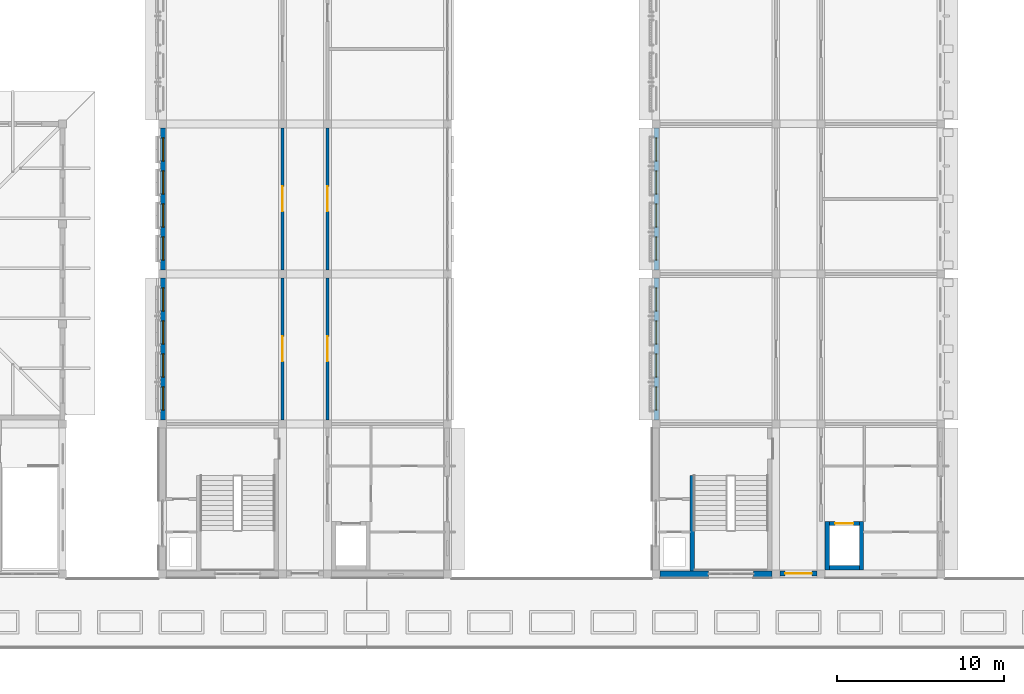
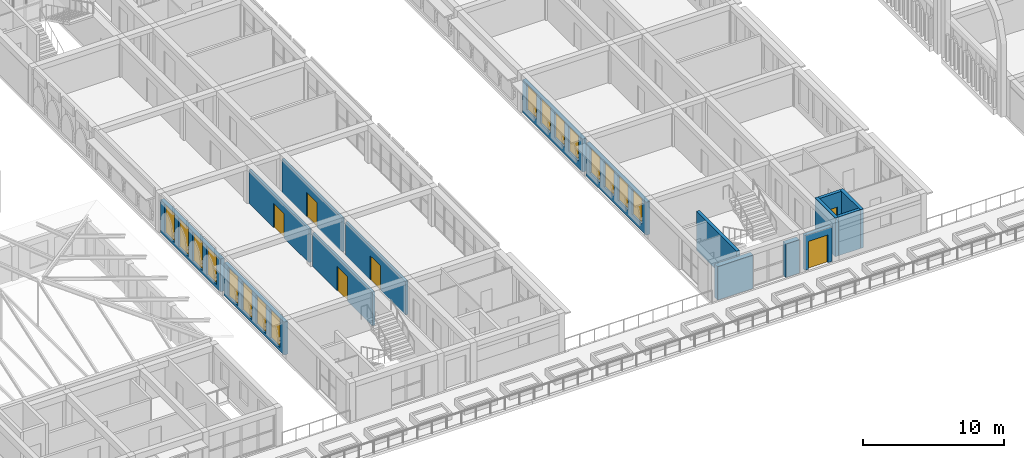
# One storey, part 46 of 82: 16 walls, 16 windows, 6 doors, 22 openings.
"""IFC4 building model written with IfcOpenShell, lengths in metres."""

from ifc_helpers import new_model, si_unit, direction, frame, frame_2d, origin, place, context, subcontext, project, spatial, rectangle, extrude, material, layer, layer_set, type_object, element, fill, save


model = new_model("IFC4")

# Units and contexts
model_context = context("Model", 3, precision=1e-05, world=origin(), true_north=direction((0.0, 1.0)))
body_context = subcontext(model_context, "Body", "Model", "MODEL_VIEW")
ifc_project = project(units=[si_unit("LENGTHUNIT", "METRE"), si_unit("AREAUNIT", "SQUARE_METRE"), si_unit("VOLUMEUNIT", "CUBIC_METRE"), si_unit("PLANEANGLEUNIT", "RADIAN"), si_unit("MASSUNIT", "GRAM", prefix="KILO")], contexts=[model_context])

# Site, building, storey
site_placement = place(None, origin())
site = spatial("IfcSite", under=ifc_project, at=site_placement, CompositionType="ELEMENT")
building_placement = place(site_placement, origin())
building = spatial("IfcBuilding", under=site, at=building_placement, Name="Elbe Cascade School", CompositionType="ELEMENT")
storey_placement = place(building_placement, frame((0.0, 0.0, 4.5)))
storey = spatial("IfcBuildingStorey", under=building, at=storey_placement, Name="L01", CompositionType="ELEMENT", Elevation=4.5)

# Wall, opening, door
ifc_material_1 = material(Name="Masonry - lime-sand block, plastered", Category="masonry")
ifc_layer_1 = layer(ifc_material_1, 0.199951171875)
ifc_layer_set_1 = layer_set([ifc_layer_1], Name="Masonry - lime-sand block, plastered")
wall_type_1 = type_object("IfcWallType", Name="Bar corridor wall lime-sand block 200 EI 30", PredefinedType="PARTITIONING", material=ifc_layer_set_1)
wall_1_placement = place(storey_placement, frame((76.199951171875, 15.25, 0.0), z_axis=(0.0, 0.0, 1.0), x_axis=(0.0, 1.0, 0.0)))
wall_1 = element("IfcWall", 1, at=wall_1_placement, inside=storey, type_object=wall_type_1, Name="Bar corridor wall lime-sand block 200 EI 30", PredefinedType="PARTITIONING", context=body_context, shape_type="SweptSolid", body=[
    extrude(rectangle(XDim=8.5, YDim=0.199951171875, at=frame_2d((4.25, 0.0))), origin(), (0.0, 0.0, 1.0), 2.89990234375),
])
opening_1_placement = place(wall_1_placement, frame((3.5, 0.0, 0.0)))
opening_1 = element("IfcOpeningElement", 2, at=opening_1_placement, cuts=wall_1, Name="Opening D1.011", PredefinedType="OPENING", context=body_context, shape_type="SweptSolid", body=[
    extrude(rectangle(XDim=1.5, YDim=2.10009765625, at=frame_2d((0.75, 1.050048828125))), frame((0.0, 0.10986328125, 0.0), z_axis=(0.0, -1.0, 0.0), x_axis=(1.0, 0.0, 0.0)), (0.0, 0.0, 1.0), 0.219970703125),
])
ifc_material_2 = material(Name="Timber door leaves, fire-resisting, steel frame", Category="steel")
door_type_1 = type_object("IfcDoorType", Name="Bar door FD30 1500x2100", OperationType="NOTDEFINED", PredefinedType="DOOR", material=ifc_material_2)
door_1_placement = place(opening_1_placement, origin())
door_1 = element("IfcDoor", 3, at=door_1_placement, inside=storey, type_object=door_type_1, Name="Door A1.20a", OperationType="DOUBLE_DOOR_SINGLE_SWING", OverallHeight=2.10009765625, OverallWidth=1.5, PredefinedType="DOOR", context=body_context, shape_type="SweptSolid", body=[
    extrude(rectangle(XDim=1.5, YDim=2.10009765625, at=frame_2d((0.75, 1.050048828125))), frame((0.0, 0.02490234375, 0.0), z_axis=(0.0, -1.0, 0.0), x_axis=(1.0, 0.0, 0.0)), (0.0, 0.0, 1.0), 0.050048828125),
])
fill(opening_1, door_1)

wall_2_placement = place(storey_placement, frame((76.199951171875, 24.25, 0.0), z_axis=(0.0, 0.0, 1.0), x_axis=(0.0, 1.0, 0.0)))
wall_2 = element("IfcWall", 4, at=wall_2_placement, inside=storey, type_object=wall_type_1, Name="Bar corridor wall lime-sand block 200 EI 30", PredefinedType="PARTITIONING", context=body_context, shape_type="SweptSolid", body=[
    extrude(rectangle(XDim=8.5, YDim=0.199951171875, at=frame_2d((4.25, 0.0))), origin(), (0.0, 0.0, 1.0), 2.89990234375),
])
opening_2_placement = place(wall_2_placement, frame((3.5, 0.0, 0.0)))
opening_2 = element("IfcOpeningElement", 5, at=opening_2_placement, cuts=wall_2, Name="Opening D1.013", PredefinedType="OPENING", context=body_context, shape_type="SweptSolid", body=[
    extrude(rectangle(XDim=1.5, YDim=2.10009765625, at=frame_2d((0.75, 1.050048828125))), frame((0.0, 0.10986328125, 0.0), z_axis=(0.0, -1.0, 0.0), x_axis=(1.0, 0.0, 0.0)), (0.0, 0.0, 1.0), 0.219970703125),
])
door_2_placement = place(opening_2_placement, origin())
door_2 = element("IfcDoor", 6, at=door_2_placement, inside=storey, type_object=door_type_1, Name="Door A1.20b", OperationType="DOUBLE_DOOR_SINGLE_SWING", OverallHeight=2.10009765625, OverallWidth=1.5, PredefinedType="DOOR", context=body_context, shape_type="SweptSolid", body=[
    extrude(rectangle(XDim=1.5, YDim=2.10009765625, at=frame_2d((0.75, 1.050048828125))), frame((0.0, 0.02490234375, 0.0), z_axis=(0.0, -1.0, 0.0), x_axis=(1.0, 0.0, 0.0)), (0.0, 0.0, 1.0), 0.050048828125),
])
fill(opening_2, door_2)

wall_3_placement = place(storey_placement, frame((78.89990234375, 23.75, 0.0), z_axis=(0.0, 0.0, 1.0), x_axis=(0.0, -1.0, 0.0)))
wall_3 = element("IfcWall", 7, at=wall_3_placement, inside=storey, type_object=wall_type_1, Name="Bar corridor wall lime-sand block 200 EI 30", PredefinedType="PARTITIONING", context=body_context, shape_type="SweptSolid", body=[
    extrude(rectangle(XDim=8.5, YDim=0.199951171875, at=frame_2d((4.25, 0.0))), origin(), (0.0, 0.0, 1.0), 2.89990234375),
])
opening_3_placement = place(wall_3_placement, frame((3.5, 0.0, 0.0)))
opening_3 = element("IfcOpeningElement", 8, at=opening_3_placement, cuts=wall_3, Name="Opening D1.012", PredefinedType="OPENING", context=body_context, shape_type="SweptSolid", body=[
    extrude(rectangle(XDim=1.5, YDim=2.10009765625, at=frame_2d((0.75, 1.050048828125))), frame((0.0, 0.10986328125, 0.0), z_axis=(0.0, -1.0, 0.0), x_axis=(1.0, 0.0, 0.0)), (0.0, 0.0, 1.0), 0.219970703125),
])
door_3_placement = place(opening_3_placement, origin())
door_3 = element("IfcDoor", 9, at=door_3_placement, inside=storey, type_object=door_type_1, Name="Door A1.21a", OperationType="DOUBLE_DOOR_SINGLE_SWING", OverallHeight=2.10009765625, OverallWidth=1.5, PredefinedType="DOOR", context=body_context, shape_type="SweptSolid", body=[
    extrude(rectangle(XDim=1.5, YDim=2.10009765625, at=frame_2d((0.75, 1.050048828125))), frame((0.0, 0.02490234375, 0.0), z_axis=(0.0, -1.0, 0.0), x_axis=(1.0, 0.0, 0.0)), (0.0, 0.0, 1.0), 0.050048828125),
])
fill(opening_3, door_3)

wall_4_placement = place(storey_placement, frame((78.89990234375, 32.75, 0.0), z_axis=(0.0, 0.0, 1.0), x_axis=(0.0, -1.0, 0.0)))
wall_4 = element("IfcWall", 10, at=wall_4_placement, inside=storey, type_object=wall_type_1, Name="Bar corridor wall lime-sand block 200 EI 30", PredefinedType="PARTITIONING", context=body_context, shape_type="SweptSolid", body=[
    extrude(rectangle(XDim=8.5, YDim=0.199951171875, at=frame_2d((4.25, 0.0))), origin(), (0.0, 0.0, 1.0), 2.89990234375),
])
opening_4_placement = place(wall_4_placement, frame((3.5, 0.0, 0.0)))
opening_4 = element("IfcOpeningElement", 11, at=opening_4_placement, cuts=wall_4, Name="Opening D1.014", PredefinedType="OPENING", context=body_context, shape_type="SweptSolid", body=[
    extrude(rectangle(XDim=1.5, YDim=2.10009765625, at=frame_2d((0.75, 1.050048828125))), frame((0.0, 0.10986328125, 0.0), z_axis=(0.0, -1.0, 0.0), x_axis=(1.0, 0.0, 0.0)), (0.0, 0.0, 1.0), 0.219970703125),
])
door_4_placement = place(opening_4_placement, origin())
door_4 = element("IfcDoor", 12, at=door_4_placement, inside=storey, type_object=door_type_1, Name="Door A1.21b", OperationType="DOUBLE_DOOR_SINGLE_SWING", OverallHeight=2.10009765625, OverallWidth=1.5, PredefinedType="DOOR", context=body_context, shape_type="SweptSolid", body=[
    extrude(rectangle(XDim=1.5, YDim=2.10009765625, at=frame_2d((0.75, 1.050048828125))), frame((0.0, 0.02490234375, 0.0), z_axis=(0.0, -1.0, 0.0), x_axis=(1.0, 0.0, 0.0)), (0.0, 0.0, 1.0), 0.050048828125),
])
fill(opening_4, door_4)

# Wall
ifc_material_3 = material(Name="Concrete C30/37", Category="concrete")
ifc_layer_2 = layer(ifc_material_3, 0.25)
ifc_layer_set_2 = layer_set([ifc_layer_2], Name="Concrete C30/37")
wall_type_2 = type_object("IfcWallType", Name="Bar stair core wall RC 250", PredefinedType="SOLIDWALL", material=ifc_layer_set_2)
wall_5_placement = place(storey_placement, frame((100.77490234375, 6.179931640625, 0.0), z_axis=(0.0, 0.0, 1.0), x_axis=(0.0, 1.0, 0.0)))
element("IfcWall", 13, at=wall_5_placement, inside=storey, type_object=wall_type_2, Name="Bar stair core wall RC 250", PredefinedType="SOLIDWALL", context=body_context, shape_type="SweptSolid", body=[
    extrude(rectangle(XDim=5.719970703125, YDim=0.25, at=frame_2d((2.85986328125, 0.0))), origin(), (0.0, 0.0, 1.0), 3.35009765625),
])

# Wall, openings, windows
ifc_material_4 = material(Name="Brick masonry - red clinker, cavity wall with render backing", Category="masonry")
ifc_layer_3 = layer(ifc_material_4, 0.300048828125)
ifc_layer_set_3 = layer_set([ifc_layer_3], Name="Brick masonry - red clinker, cavity wall with render backing")
wall_type_3 = type_object("IfcWallType", Name="Bars envelope External wall - clinker brick cavity, 300 upper floors", PredefinedType="STANDARD", material=ifc_layer_set_3)
wall_6_placement = place(storey_placement, frame((69.030029296875, 15.25, 0.0), z_axis=(0.0, 0.0, 1.0), x_axis=(0.0, 1.0, 0.0)))
wall_6 = element("IfcWall", 14, at=wall_6_placement, inside=storey, type_object=wall_type_3, Name="External wall W30 A.L01.w2", PredefinedType="STANDARD", context=body_context, shape_type="SweptSolid", body=[
    extrude(rectangle(XDim=8.5, YDim=0.300048828125, at=frame_2d((4.25, 0.0))), origin(), (0.0, 0.0, 1.0), 2.85009765625),
])
opening_5_placement = place(wall_6_placement, frame((0.580078125, 0.0, 0.300048828125)))
opening_5 = element("IfcOpeningElement", 15, at=opening_5_placement, cuts=wall_6, Name="Opening W1.004", PredefinedType="OPENING", context=body_context, shape_type="SweptSolid", body=[
    extrude(rectangle(XDim=1.39990234375, YDim=2.5, at=frame_2d((0.699951171875, 1.25))), frame((0.0, 0.159912109375, 0.0), z_axis=(0.0, -1.0, 0.0), x_axis=(1.0, 0.0, 0.0)), (0.0, 0.0, 1.0), 0.320068359375),
])
opening_6_placement = place(wall_6_placement, frame((2.56005859375, 0.0, 0.300048828125)))
opening_6 = element("IfcOpeningElement", 16, at=opening_6_placement, cuts=wall_6, Name="Opening W1.005", PredefinedType="OPENING", context=body_context, shape_type="SweptSolid", body=[
    extrude(rectangle(XDim=1.39990234375, YDim=2.5, at=frame_2d((0.699951171875, 1.25))), frame((0.0, 0.159912109375, 0.0), z_axis=(0.0, -1.0, 0.0), x_axis=(1.0, 0.0, 0.0)), (0.0, 0.0, 1.0), 0.320068359375),
])
opening_7_placement = place(wall_6_placement, frame((4.5400390625, 0.0, 0.300048828125)))
opening_7 = element("IfcOpeningElement", 17, at=opening_7_placement, cuts=wall_6, Name="Opening W1.006", PredefinedType="OPENING", context=body_context, shape_type="SweptSolid", body=[
    extrude(rectangle(XDim=1.39990234375, YDim=2.5, at=frame_2d((0.699951171875, 1.25))), frame((0.0, 0.159912109375, 0.0), z_axis=(0.0, -1.0, 0.0), x_axis=(1.0, 0.0, 0.0)), (0.0, 0.0, 1.0), 0.320068359375),
])
opening_8_placement = place(wall_6_placement, frame((6.52001953125, 0.0, 0.300048828125)))
opening_8 = element("IfcOpeningElement", 18, at=opening_8_placement, cuts=wall_6, Name="Opening W1.007", PredefinedType="OPENING", context=body_context, shape_type="SweptSolid", body=[
    extrude(rectangle(XDim=1.39990234375, YDim=2.5, at=frame_2d((0.699951171875, 1.25))), frame((0.0, 0.159912109375, 0.0), z_axis=(0.0, -1.0, 0.0), x_axis=(1.0, 0.0, 0.0)), (0.0, 0.0, 1.0), 0.320068359375),
])
ifc_material_5 = material(Name="Aluminium frame with double glazing, bronze anodised", Category="aluminium")
window_type_1 = type_object("IfcWindowType", Name="Bars envelope Window 1400 x 2500, library reading, tall, aluminium double glazed", PartitioningType="DOUBLE_PANEL_VERTICAL", PredefinedType="WINDOW", material=ifc_material_5)
window_1_placement = place(opening_5_placement, origin())
window_1 = element("IfcWindow", 19, at=window_1_placement, inside=storey, type_object=window_type_1, Name="Window WN5 A.L01.w2.1", OverallHeight=2.5, OverallWidth=1.39990234375, PartitioningType="DOUBLE_PANEL_VERTICAL", PredefinedType="WINDOW", context=body_context, shape_type="SweptSolid", body=[
    extrude(rectangle(XDim=1.39990234375, YDim=2.5, at=frame_2d((0.699951171875, 1.25))), frame((0.0, 0.030029296875, 0.0), z_axis=(0.0, -1.0, 0.0), x_axis=(1.0, 0.0, 0.0)), (0.0, 0.0, 1.0), 0.06005859375),
])
fill(opening_5, window_1)
window_2_placement = place(opening_6_placement, origin())
window_2 = element("IfcWindow", 20, at=window_2_placement, inside=storey, type_object=window_type_1, Name="Window WN5 A.L01.w2.2", OverallHeight=2.5, OverallWidth=1.39990234375, PartitioningType="DOUBLE_PANEL_VERTICAL", PredefinedType="WINDOW", context=body_context, shape_type="SweptSolid", body=[
    extrude(rectangle(XDim=1.39990234375, YDim=2.5, at=frame_2d((0.699951171875, 1.25))), frame((0.0, 0.030029296875, 0.0), z_axis=(0.0, -1.0, 0.0), x_axis=(1.0, 0.0, 0.0)), (0.0, 0.0, 1.0), 0.06005859375),
])
fill(opening_6, window_2)
window_3_placement = place(opening_7_placement, origin())
window_3 = element("IfcWindow", 21, at=window_3_placement, inside=storey, type_object=window_type_1, Name="Window WN5 A.L01.w2.3", OverallHeight=2.5, OverallWidth=1.39990234375, PartitioningType="DOUBLE_PANEL_VERTICAL", PredefinedType="WINDOW", context=body_context, shape_type="SweptSolid", body=[
    extrude(rectangle(XDim=1.39990234375, YDim=2.5, at=frame_2d((0.699951171875, 1.25))), frame((0.0, 0.030029296875, 0.0), z_axis=(0.0, -1.0, 0.0), x_axis=(1.0, 0.0, 0.0)), (0.0, 0.0, 1.0), 0.06005859375),
])
fill(opening_7, window_3)
window_4_placement = place(opening_8_placement, origin())
window_4 = element("IfcWindow", 22, at=window_4_placement, inside=storey, type_object=window_type_1, Name="Window WN5 A.L01.w2.4", OverallHeight=2.5, OverallWidth=1.39990234375, PartitioningType="DOUBLE_PANEL_VERTICAL", PredefinedType="WINDOW", context=body_context, shape_type="SweptSolid", body=[
    extrude(rectangle(XDim=1.39990234375, YDim=2.5, at=frame_2d((0.699951171875, 1.25))), frame((0.0, 0.030029296875, 0.0), z_axis=(0.0, -1.0, 0.0), x_axis=(1.0, 0.0, 0.0)), (0.0, 0.0, 1.0), 0.06005859375),
])
fill(opening_8, window_4)

wall_7_placement = place(storey_placement, frame((69.030029296875, 24.25, 0.0), z_axis=(0.0, 0.0, 1.0), x_axis=(0.0, 1.0, 0.0)))
wall_7 = element("IfcWall", 23, at=wall_7_placement, inside=storey, type_object=wall_type_3, Name="External wall W30 A.L01.w3", PredefinedType="STANDARD", context=body_context, shape_type="SweptSolid", body=[
    extrude(rectangle(XDim=8.5, YDim=0.300048828125, at=frame_2d((4.25, 0.0))), origin(), (0.0, 0.0, 1.0), 2.85009765625),
])
opening_9_placement = place(wall_7_placement, frame((0.580078125, 0.0, 0.300048828125)))
opening_9 = element("IfcOpeningElement", 24, at=opening_9_placement, cuts=wall_7, Name="Opening W1.008", PredefinedType="OPENING", context=body_context, shape_type="SweptSolid", body=[
    extrude(rectangle(XDim=1.39990234375, YDim=2.5, at=frame_2d((0.699951171875, 1.25))), frame((0.0, 0.159912109375, 0.0), z_axis=(0.0, -1.0, 0.0), x_axis=(1.0, 0.0, 0.0)), (0.0, 0.0, 1.0), 0.320068359375),
])
opening_10_placement = place(wall_7_placement, frame((2.56005859375, 0.0, 0.300048828125)))
opening_10 = element("IfcOpeningElement", 25, at=opening_10_placement, cuts=wall_7, Name="Opening W1.009", PredefinedType="OPENING", context=body_context, shape_type="SweptSolid", body=[
    extrude(rectangle(XDim=1.39990234375, YDim=2.5, at=frame_2d((0.699951171875, 1.25))), frame((0.0, 0.159912109375, 0.0), z_axis=(0.0, -1.0, 0.0), x_axis=(1.0, 0.0, 0.0)), (0.0, 0.0, 1.0), 0.320068359375),
])
opening_11_placement = place(wall_7_placement, frame((4.5400390625, 0.0, 0.300048828125)))
opening_11 = element("IfcOpeningElement", 26, at=opening_11_placement, cuts=wall_7, Name="Opening W1.010", PredefinedType="OPENING", context=body_context, shape_type="SweptSolid", body=[
    extrude(rectangle(XDim=1.39990234375, YDim=2.5, at=frame_2d((0.699951171875, 1.25))), frame((0.0, 0.159912109375, 0.0), z_axis=(0.0, -1.0, 0.0), x_axis=(1.0, 0.0, 0.0)), (0.0, 0.0, 1.0), 0.320068359375),
])
opening_12_placement = place(wall_7_placement, frame((6.52001953125, 0.0, 0.300048828125)))
opening_12 = element("IfcOpeningElement", 27, at=opening_12_placement, cuts=wall_7, Name="Opening W1.011", PredefinedType="OPENING", context=body_context, shape_type="SweptSolid", body=[
    extrude(rectangle(XDim=1.39990234375, YDim=2.5, at=frame_2d((0.699951171875, 1.25))), frame((0.0, 0.159912109375, 0.0), z_axis=(0.0, -1.0, 0.0), x_axis=(1.0, 0.0, 0.0)), (0.0, 0.0, 1.0), 0.320068359375),
])
window_5_placement = place(opening_9_placement, origin())
window_5 = element("IfcWindow", 28, at=window_5_placement, inside=storey, type_object=window_type_1, Name="Window WN5 A.L01.w3.1", OverallHeight=2.5, OverallWidth=1.39990234375, PartitioningType="DOUBLE_PANEL_VERTICAL", PredefinedType="WINDOW", context=body_context, shape_type="SweptSolid", body=[
    extrude(rectangle(XDim=1.39990234375, YDim=2.5, at=frame_2d((0.699951171875, 1.25))), frame((0.0, 0.030029296875, 0.0), z_axis=(0.0, -1.0, 0.0), x_axis=(1.0, 0.0, 0.0)), (0.0, 0.0, 1.0), 0.06005859375),
])
fill(opening_9, window_5)
window_6_placement = place(opening_10_placement, origin())
window_6 = element("IfcWindow", 29, at=window_6_placement, inside=storey, type_object=window_type_1, Name="Window WN5 A.L01.w3.2", OverallHeight=2.5, OverallWidth=1.39990234375, PartitioningType="DOUBLE_PANEL_VERTICAL", PredefinedType="WINDOW", context=body_context, shape_type="SweptSolid", body=[
    extrude(rectangle(XDim=1.39990234375, YDim=2.5, at=frame_2d((0.699951171875, 1.25))), frame((0.0, 0.030029296875, 0.0), z_axis=(0.0, -1.0, 0.0), x_axis=(1.0, 0.0, 0.0)), (0.0, 0.0, 1.0), 0.06005859375),
])
fill(opening_10, window_6)
window_7_placement = place(opening_11_placement, origin())
window_7 = element("IfcWindow", 30, at=window_7_placement, inside=storey, type_object=window_type_1, Name="Window WN5 A.L01.w3.3", OverallHeight=2.5, OverallWidth=1.39990234375, PartitioningType="DOUBLE_PANEL_VERTICAL", PredefinedType="WINDOW", context=body_context, shape_type="SweptSolid", body=[
    extrude(rectangle(XDim=1.39990234375, YDim=2.5, at=frame_2d((0.699951171875, 1.25))), frame((0.0, 0.030029296875, 0.0), z_axis=(0.0, -1.0, 0.0), x_axis=(1.0, 0.0, 0.0)), (0.0, 0.0, 1.0), 0.06005859375),
])
fill(opening_11, window_7)
window_8_placement = place(opening_12_placement, origin())
window_8 = element("IfcWindow", 31, at=window_8_placement, inside=storey, type_object=window_type_1, Name="Window WN5 A.L01.w3.4", OverallHeight=2.5, OverallWidth=1.39990234375, PartitioningType="DOUBLE_PANEL_VERTICAL", PredefinedType="WINDOW", context=body_context, shape_type="SweptSolid", body=[
    extrude(rectangle(XDim=1.39990234375, YDim=2.5, at=frame_2d((0.699951171875, 1.25))), frame((0.0, 0.030029296875, 0.0), z_axis=(0.0, -1.0, 0.0), x_axis=(1.0, 0.0, 0.0)), (0.0, 0.0, 1.0), 0.06005859375),
])
fill(opening_12, window_8)

wall_8_placement = place(storey_placement, frame((98.6298828125, 15.25, 0.0), z_axis=(0.0, 0.0, 1.0), x_axis=(0.0, 1.0, 0.0)))
wall_8 = element("IfcWall", 32, at=wall_8_placement, inside=storey, type_object=wall_type_3, Name="External wall W30 B.L01.w2", PredefinedType="STANDARD", context=body_context, shape_type="SweptSolid", body=[
    extrude(rectangle(XDim=8.5, YDim=0.300048828125, at=frame_2d((4.25, 0.0))), origin(), (0.0, 0.0, 1.0), 2.85009765625),
])
opening_13_placement = place(wall_8_placement, frame((0.580078125, 0.0, 0.60009765625)))
opening_13 = element("IfcOpeningElement", 33, at=opening_13_placement, cuts=wall_8, Name="Opening W1.026", PredefinedType="OPENING", context=body_context, shape_type="SweptSolid", body=[
    extrude(rectangle(XDim=1.39990234375, YDim=2.199951171875, at=frame_2d((0.699951171875, 1.10009765625))), frame((0.0, 0.159912109375, 0.0), z_axis=(0.0, -1.0, 0.0), x_axis=(1.0, 0.0, 0.0)), (0.0, 0.0, 1.0), 0.320068359375),
])
opening_14_placement = place(wall_8_placement, frame((2.56005859375, 0.0, 0.60009765625)))
opening_14 = element("IfcOpeningElement", 34, at=opening_14_placement, cuts=wall_8, Name="Opening W1.028", PredefinedType="OPENING", context=body_context, shape_type="SweptSolid", body=[
    extrude(rectangle(XDim=1.39990234375, YDim=2.199951171875, at=frame_2d((0.699951171875, 1.10009765625))), frame((0.0, 0.159912109375, 0.0), z_axis=(0.0, -1.0, 0.0), x_axis=(1.0, 0.0, 0.0)), (0.0, 0.0, 1.0), 0.320068359375),
])
opening_15_placement = place(wall_8_placement, frame((4.5400390625, 0.0, 0.60009765625)))
opening_15 = element("IfcOpeningElement", 35, at=opening_15_placement, cuts=wall_8, Name="Opening W1.030", PredefinedType="OPENING", context=body_context, shape_type="SweptSolid", body=[
    extrude(rectangle(XDim=1.39990234375, YDim=2.199951171875, at=frame_2d((0.699951171875, 1.10009765625))), frame((0.0, 0.159912109375, 0.0), z_axis=(0.0, -1.0, 0.0), x_axis=(1.0, 0.0, 0.0)), (0.0, 0.0, 1.0), 0.320068359375),
])
opening_16_placement = place(wall_8_placement, frame((6.52001953125, 0.0, 0.60009765625)))
opening_16 = element("IfcOpeningElement", 36, at=opening_16_placement, cuts=wall_8, Name="Opening W1.032", PredefinedType="OPENING", context=body_context, shape_type="SweptSolid", body=[
    extrude(rectangle(XDim=1.39990234375, YDim=2.199951171875, at=frame_2d((0.699951171875, 1.10009765625))), frame((0.0, 0.159912109375, 0.0), z_axis=(0.0, -1.0, 0.0), x_axis=(1.0, 0.0, 0.0)), (0.0, 0.0, 1.0), 0.320068359375),
])
ifc_material_6 = material(Name="Aluminium frame with double glazing, bronze anodised", Category="aluminium")
window_type_2 = type_object("IfcWindowType", Name="Bars envelope Window 1400 x 2200, classroom, aluminium double glazed", PartitioningType="DOUBLE_PANEL_VERTICAL", PredefinedType="WINDOW", material=ifc_material_6)
window_9_placement = place(opening_13_placement, origin())
window_9 = element("IfcWindow", 37, at=window_9_placement, inside=storey, type_object=window_type_2, Name="Window WN7 B.L01.w2.1", OverallHeight=2.199951171875, OverallWidth=1.39990234375, PartitioningType="DOUBLE_PANEL_VERTICAL", PredefinedType="WINDOW", context=body_context, shape_type="SweptSolid", body=[
    extrude(rectangle(XDim=1.39990234375, YDim=2.199951171875, at=frame_2d((0.699951171875, 1.10009765625))), frame((0.0, 0.030029296875, 0.0), z_axis=(0.0, -1.0, 0.0), x_axis=(1.0, 0.0, 0.0)), (0.0, 0.0, 1.0), 0.06005859375),
])
fill(opening_13, window_9)
window_10_placement = place(opening_14_placement, origin())
window_10 = element("IfcWindow", 38, at=window_10_placement, inside=storey, type_object=window_type_2, Name="Window WN7 B.L01.w2.2", OverallHeight=2.199951171875, OverallWidth=1.39990234375, PartitioningType="DOUBLE_PANEL_VERTICAL", PredefinedType="WINDOW", context=body_context, shape_type="SweptSolid", body=[
    extrude(rectangle(XDim=1.39990234375, YDim=2.199951171875, at=frame_2d((0.699951171875, 1.10009765625))), frame((0.0, 0.030029296875, 0.0), z_axis=(0.0, -1.0, 0.0), x_axis=(1.0, 0.0, 0.0)), (0.0, 0.0, 1.0), 0.06005859375),
])
fill(opening_14, window_10)
window_11_placement = place(opening_15_placement, origin())
window_11 = element("IfcWindow", 39, at=window_11_placement, inside=storey, type_object=window_type_2, Name="Window WN7 B.L01.w2.3", OverallHeight=2.199951171875, OverallWidth=1.39990234375, PartitioningType="DOUBLE_PANEL_VERTICAL", PredefinedType="WINDOW", context=body_context, shape_type="SweptSolid", body=[
    extrude(rectangle(XDim=1.39990234375, YDim=2.199951171875, at=frame_2d((0.699951171875, 1.10009765625))), frame((0.0, 0.030029296875, 0.0), z_axis=(0.0, -1.0, 0.0), x_axis=(1.0, 0.0, 0.0)), (0.0, 0.0, 1.0), 0.06005859375),
])
fill(opening_15, window_11)
window_12_placement = place(opening_16_placement, origin())
window_12 = element("IfcWindow", 40, at=window_12_placement, inside=storey, type_object=window_type_2, Name="Window WN7 B.L01.w2.4", OverallHeight=2.199951171875, OverallWidth=1.39990234375, PartitioningType="DOUBLE_PANEL_VERTICAL", PredefinedType="WINDOW", context=body_context, shape_type="SweptSolid", body=[
    extrude(rectangle(XDim=1.39990234375, YDim=2.199951171875, at=frame_2d((0.699951171875, 1.10009765625))), frame((0.0, 0.030029296875, 0.0), z_axis=(0.0, -1.0, 0.0), x_axis=(1.0, 0.0, 0.0)), (0.0, 0.0, 1.0), 0.06005859375),
])
fill(opening_16, window_12)

wall_9_placement = place(storey_placement, frame((98.6298828125, 24.25, 0.0), z_axis=(0.0, 0.0, 1.0), x_axis=(0.0, 1.0, 0.0)))
wall_9 = element("IfcWall", 41, at=wall_9_placement, inside=storey, type_object=wall_type_3, Name="External wall W30 B.L01.w3", PredefinedType="STANDARD", context=body_context, shape_type="SweptSolid", body=[
    extrude(rectangle(XDim=8.5, YDim=0.300048828125, at=frame_2d((4.25, 0.0))), origin(), (0.0, 0.0, 1.0), 2.85009765625),
])
opening_17_placement = place(wall_9_placement, frame((0.580078125, 0.0, 0.60009765625)))
opening_17 = element("IfcOpeningElement", 42, at=opening_17_placement, cuts=wall_9, Name="Opening W1.034", PredefinedType="OPENING", context=body_context, shape_type="SweptSolid", body=[
    extrude(rectangle(XDim=1.39990234375, YDim=2.199951171875, at=frame_2d((0.699951171875, 1.10009765625))), frame((0.0, 0.159912109375, 0.0), z_axis=(0.0, -1.0, 0.0), x_axis=(1.0, 0.0, 0.0)), (0.0, 0.0, 1.0), 0.320068359375),
])
opening_18_placement = place(wall_9_placement, frame((2.56005859375, 0.0, 0.60009765625)))
opening_18 = element("IfcOpeningElement", 43, at=opening_18_placement, cuts=wall_9, Name="Opening W1.036", PredefinedType="OPENING", context=body_context, shape_type="SweptSolid", body=[
    extrude(rectangle(XDim=1.39990234375, YDim=2.199951171875, at=frame_2d((0.699951171875, 1.10009765625))), frame((0.0, 0.159912109375, 0.0), z_axis=(0.0, -1.0, 0.0), x_axis=(1.0, 0.0, 0.0)), (0.0, 0.0, 1.0), 0.320068359375),
])
opening_19_placement = place(wall_9_placement, frame((4.5400390625, 0.0, 0.60009765625)))
opening_19 = element("IfcOpeningElement", 44, at=opening_19_placement, cuts=wall_9, Name="Opening W1.038", PredefinedType="OPENING", context=body_context, shape_type="SweptSolid", body=[
    extrude(rectangle(XDim=1.39990234375, YDim=2.199951171875, at=frame_2d((0.699951171875, 1.10009765625))), frame((0.0, 0.159912109375, 0.0), z_axis=(0.0, -1.0, 0.0), x_axis=(1.0, 0.0, 0.0)), (0.0, 0.0, 1.0), 0.320068359375),
])
opening_20_placement = place(wall_9_placement, frame((6.52001953125, 0.0, 0.60009765625)))
opening_20 = element("IfcOpeningElement", 45, at=opening_20_placement, cuts=wall_9, Name="Opening W1.040", PredefinedType="OPENING", context=body_context, shape_type="SweptSolid", body=[
    extrude(rectangle(XDim=1.39990234375, YDim=2.199951171875, at=frame_2d((0.699951171875, 1.10009765625))), frame((0.0, 0.159912109375, 0.0), z_axis=(0.0, -1.0, 0.0), x_axis=(1.0, 0.0, 0.0)), (0.0, 0.0, 1.0), 0.320068359375),
])
window_13_placement = place(opening_17_placement, origin())
window_13 = element("IfcWindow", 46, at=window_13_placement, inside=storey, type_object=window_type_2, Name="Window WN7 B.L01.w3.1", OverallHeight=2.199951171875, OverallWidth=1.39990234375, PartitioningType="DOUBLE_PANEL_VERTICAL", PredefinedType="WINDOW", context=body_context, shape_type="SweptSolid", body=[
    extrude(rectangle(XDim=1.39990234375, YDim=2.199951171875, at=frame_2d((0.699951171875, 1.10009765625))), frame((0.0, 0.030029296875, 0.0), z_axis=(0.0, -1.0, 0.0), x_axis=(1.0, 0.0, 0.0)), (0.0, 0.0, 1.0), 0.06005859375),
])
fill(opening_17, window_13)
window_14_placement = place(opening_18_placement, origin())
window_14 = element("IfcWindow", 47, at=window_14_placement, inside=storey, type_object=window_type_2, Name="Window WN7 B.L01.w3.2", OverallHeight=2.199951171875, OverallWidth=1.39990234375, PartitioningType="DOUBLE_PANEL_VERTICAL", PredefinedType="WINDOW", context=body_context, shape_type="SweptSolid", body=[
    extrude(rectangle(XDim=1.39990234375, YDim=2.199951171875, at=frame_2d((0.699951171875, 1.10009765625))), frame((0.0, 0.030029296875, 0.0), z_axis=(0.0, -1.0, 0.0), x_axis=(1.0, 0.0, 0.0)), (0.0, 0.0, 1.0), 0.06005859375),
])
fill(opening_18, window_14)
window_15_placement = place(opening_19_placement, origin())
window_15 = element("IfcWindow", 48, at=window_15_placement, inside=storey, type_object=window_type_2, Name="Window WN7 B.L01.w3.3", OverallHeight=2.199951171875, OverallWidth=1.39990234375, PartitioningType="DOUBLE_PANEL_VERTICAL", PredefinedType="WINDOW", context=body_context, shape_type="SweptSolid", body=[
    extrude(rectangle(XDim=1.39990234375, YDim=2.199951171875, at=frame_2d((0.699951171875, 1.10009765625))), frame((0.0, 0.030029296875, 0.0), z_axis=(0.0, -1.0, 0.0), x_axis=(1.0, 0.0, 0.0)), (0.0, 0.0, 1.0), 0.06005859375),
])
fill(opening_19, window_15)
window_16_placement = place(opening_20_placement, origin())
window_16 = element("IfcWindow", 49, at=window_16_placement, inside=storey, type_object=window_type_2, Name="Window WN7 B.L01.w3.4", OverallHeight=2.199951171875, OverallWidth=1.39990234375, PartitioningType="DOUBLE_PANEL_VERTICAL", PredefinedType="WINDOW", context=body_context, shape_type="SweptSolid", body=[
    extrude(rectangle(XDim=1.39990234375, YDim=2.199951171875, at=frame_2d((0.699951171875, 1.10009765625))), frame((0.0, 0.030029296875, 0.0), z_axis=(0.0, -1.0, 0.0), x_axis=(1.0, 0.0, 0.0)), (0.0, 0.0, 1.0), 0.06005859375),
])
fill(opening_20, window_16)

# Wall, opening, door
wall_10_placement = place(storey_placement, frame((108.25, 6.030029296875, 0.0), z_axis=(0.0, 0.0, 1.0), x_axis=(-1.0, 0.0, 0.0)))
wall_10 = element("IfcWall", 50, at=wall_10_placement, inside=storey, type_object=wall_type_3, Name="External wall W30 B.L01.s2", PredefinedType="STANDARD", context=body_context, shape_type="SweptSolid", body=[
    extrude(rectangle(XDim=2.199951171875, YDim=0.300048828125, at=frame_2d((1.10009765625, 0.0))), origin(), (0.0, 0.0, 1.0), 3.0),
])
opening_21_placement = place(wall_10_placement, frame((0.300048828125, 0.0, 0.0)))
opening_21 = element("IfcOpeningElement", 51, at=opening_21_placement, cuts=wall_10, Name="Opening D1.029", PredefinedType="OPENING", context=body_context, shape_type="SweptSolid", body=[
    extrude(rectangle(XDim=1.60009765625, YDim=2.39990234375, at=frame_2d((0.800048828125, 1.199951171875))), frame((0.0, 0.159912109375, 0.0), z_axis=(0.0, -1.0, 0.0), x_axis=(1.0, 0.0, 0.0)), (0.0, 0.0, 1.0), 0.320068359375),
])
ifc_material_7 = material(Name="Aluminium and glass fire-resisting door set", Category="aluminium")
door_type_2 = type_object("IfcDoorType", Name="Bars envelope Terrace door, double leaf, glazed, 1600 x 2400, fire resisting", OperationType="DOUBLE_DOOR_SINGLE_SWING", PredefinedType="DOOR", material=ifc_material_7)
door_5_placement = place(opening_21_placement, origin())
door_5 = element("IfcDoor", 52, at=door_5_placement, inside=storey, type_object=door_type_2, Name="Terrace door D17 B.L01.s2", OperationType="DOUBLE_DOOR_SINGLE_SWING", OverallHeight=2.39990234375, OverallWidth=1.60009765625, PredefinedType="DOOR", context=body_context, shape_type="SweptSolid", body=[
    extrude(rectangle(XDim=1.60009765625, YDim=2.39990234375, at=frame_2d((0.800048828125, 1.199951171875))), frame((0.0, 0.02490234375, 0.0), z_axis=(0.0, -1.0, 0.0), x_axis=(1.0, 0.0, 0.0)), (0.0, 0.0, 1.0), 0.050048828125),
])
fill(opening_21, door_5)

# Walls
ifc_material_8 = material(Name="Brick masonry - red clinker, solid, sandstone-faced", Category="masonry")
ifc_layer_4 = layer(ifc_material_8, 0.39990234375)
ifc_layer_set_4 = layer_set([ifc_layer_4], Name="Brick masonry - red clinker, solid, sandstone-faced")
wall_type_4 = type_object("IfcWallType", Name="Bars envelope External wall - solid masonry core strip, sandstone faced, 400", PredefinedType="STANDARD", material=ifc_layer_set_4)
wall_11_placement = place(storey_placement, frame((101.75, 5.97998046875, 0.0), z_axis=(0.0, 0.0, 1.0), x_axis=(-1.0, 0.0, 0.0)))
element("IfcWall", 53, at=wall_11_placement, inside=storey, type_object=wall_type_4, Name="External wall W31 B.L01.s1a", PredefinedType="STANDARD", context=body_context, shape_type="SweptSolid", body=[
    extrude(rectangle(XDim=2.89990234375, YDim=0.39990234375, at=frame_2d((1.449951171875, 0.0))), origin(), (0.0, 0.0, 1.0), 2.89990234375),
])
wall_12_placement = place(storey_placement, frame((105.550048828125, 5.97998046875, 0.0), z_axis=(0.0, 0.0, 1.0), x_axis=(-1.0, 0.0, 0.0)))
element("IfcWall", 54, at=wall_12_placement, inside=storey, type_object=wall_type_4, Name="External wall W31 B.L01.s1b", PredefinedType="STANDARD", context=body_context, shape_type="SweptSolid", body=[
    extrude(rectangle(XDim=1.10009765625, YDim=0.39990234375, at=frame_2d((0.550048828125, 0.0))), origin(), (0.0, 0.0, 1.0), 2.89990234375),
])
ifc_material_9 = material(Name="Concrete C30/37", Category="concrete")
ifc_layer_5 = layer(ifc_material_9, 0.25)
ifc_layer_set_5 = layer_set([ifc_layer_5], Name="Concrete C30/37")
wall_type_5 = type_object("IfcWallType", Name="Shaft wall 250", PredefinedType="SHEAR", material=ifc_layer_set_5)
for number, where, z_axis, x_axis, name in (
    (55, (108.875, 6.25, 0.0), (0.0, 0.0, 1.0), (0.0, 1.0, 0.0), "Shaft wall 250 W1"),
    (56, (110.925048828125, 6.25, 0.0), (0.0, 0.0, 1.0), (0.0, 1.0, 0.0), "Shaft wall 250 W1"),
):
    element("IfcWall", number, at=place(storey_placement, frame(where, z_axis=z_axis, x_axis=x_axis)), inside=storey, type_object=wall_type_5, Name=name, PredefinedType="SHEAR", context=body_context, shape_type="SweptSolid", body=[
        extrude(rectangle(XDim=2.89990234375, YDim=0.25, at=frame_2d((1.449951171875, 0.0))), origin(), (0.0, 0.0, 1.0), 3.35009765625),
    ])
wall_13_placement = place(storey_placement, frame((109.0, 6.375, 0.0), z_axis=(0.0, 0.0, 1.0), x_axis=(1.0, 0.0, 0.0)))
element("IfcWall", 57, at=wall_13_placement, inside=storey, type_object=wall_type_5, Name="Shaft wall 250 W1", PredefinedType="SHEAR", context=body_context, shape_type="SweptSolid", body=[
    extrude(rectangle(XDim=1.800048828125, YDim=0.25, at=frame_2d((0.89990234375, 0.0))), origin(), (0.0, 0.0, 1.0), 3.35009765625),
])

# Wall, opening, door
wall_14_placement = place(storey_placement, frame((109.0, 9.02490234375, 0.0), z_axis=(0.0, 0.0, 1.0), x_axis=(1.0, 0.0, 0.0)))
wall_14 = element("IfcWall", 58, at=wall_14_placement, inside=storey, type_object=wall_type_5, Name="Shaft wall 250 W1", PredefinedType="SHEAR", context=body_context, shape_type="SweptSolid", body=[
    extrude(rectangle(XDim=1.800048828125, YDim=0.25, at=frame_2d((0.89990234375, 0.0))), origin(), (0.0, 0.0, 1.0), 3.35009765625),
])
opening_22_placement = place(wall_14_placement, frame((0.35009765625, 0.0, 0.0)))
opening_22 = element("IfcOpeningElement", 59, at=opening_22_placement, cuts=wall_14, Name="Opening D1.032", PredefinedType="OPENING", context=body_context, shape_type="SweptSolid", body=[
    extrude(rectangle(XDim=1.10009765625, YDim=2.10009765625, at=frame_2d((0.550048828125, 1.050048828125))), frame((0.0, 0.135009765625, 0.0), z_axis=(0.0, -1.0, 0.0), x_axis=(1.0, 0.0, 0.0)), (0.0, 0.0, 1.0), 0.27001953125),
])
ifc_material_10 = material(Name="Stainless steel sliding door leaf", Category="steel")
door_type_3 = type_object("IfcDoorType", Name="Bar lift landing door 1100x2100", OperationType="SLIDING_TO_LEFT", PredefinedType="DOOR", material=ifc_material_10)
door_6_placement = place(opening_22_placement, origin())
door_6 = element("IfcDoor", 60, at=door_6_placement, inside=storey, type_object=door_type_3, Name="Lift landing door LDB1.1", OperationType="SLIDING_TO_LEFT", OverallHeight=2.10009765625, OverallWidth=1.10009765625, PredefinedType="DOOR", context=body_context, shape_type="SweptSolid", body=[
    extrude(rectangle(XDim=1.10009765625, YDim=2.10009765625, at=frame_2d((0.550048828125, 1.050048828125))), frame((0.0, 0.02490234375, 0.0), z_axis=(0.0, -1.0, 0.0), x_axis=(1.0, 0.0, 0.0)), (0.0, 0.0, 1.0), 0.050048828125),
])
fill(opening_22, door_6)

save(model, "model.ifc")
